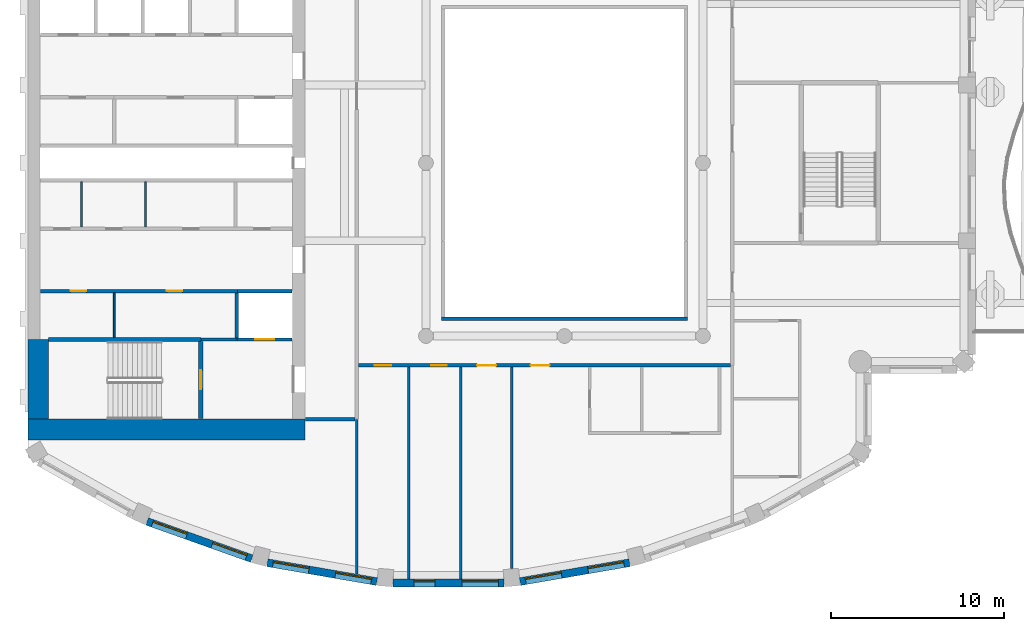
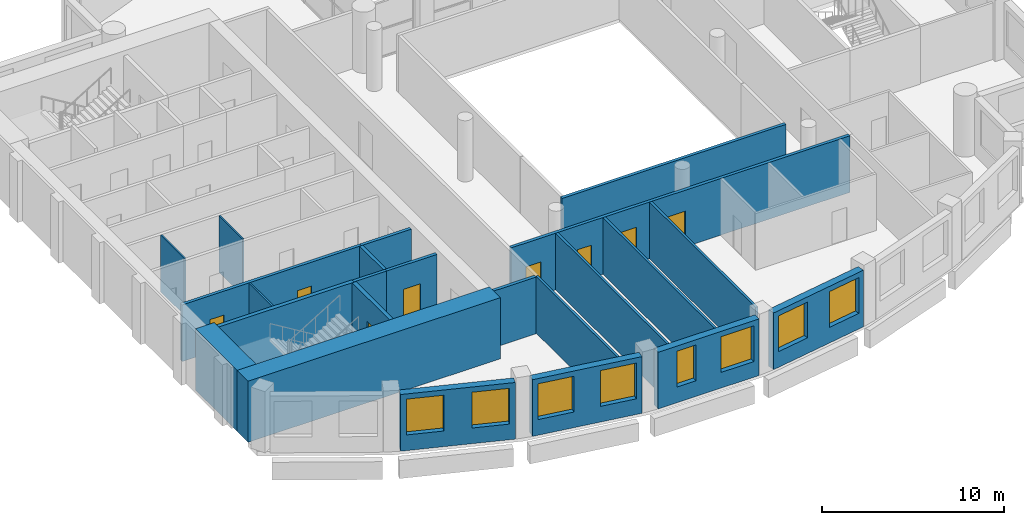
# One storey, part 4 of 14: 23 walls, 8 doors, 8 windows, 16 openings.
"""IFC4 building model written with IfcOpenShell, lengths in metres."""

from ifc_helpers import new_model, si_unit, direction, frame, frame_2d, origin, place, context, subcontext, project, spatial, rectangle, extrude, material, layer, layer_set, type_object, element, fill, save


model = new_model("IFC4")

# Units and contexts
model_context = context("Model", 3, precision=1e-05, world=origin(), true_north=direction((0.0, 1.0)))
body_context = subcontext(model_context, "Body", "Model", "MODEL_VIEW")
ifc_project = project(units=[si_unit("LENGTHUNIT", "METRE"), si_unit("AREAUNIT", "SQUARE_METRE"), si_unit("VOLUMEUNIT", "CUBIC_METRE"), si_unit("PLANEANGLEUNIT", "RADIAN"), si_unit("MASSUNIT", "GRAM", prefix="KILO")], contexts=[model_context])

# Site, building, storey
site_placement = place(None, origin())
site = spatial("IfcSite", under=ifc_project, at=site_placement, CompositionType="ELEMENT")
building_placement = place(site_placement, origin())
building = spatial("IfcBuilding", under=site, at=building_placement, Name="Cypress Arch Tower", CompositionType="ELEMENT")
storey_placement = place(building_placement, frame((0.0, 0.0, 272.10009765625)))
storey = spatial("IfcBuildingStorey", under=building, at=storey_placement, Name="L61", CompositionType="ELEMENT", Elevation=272.10009765625)

# Wall, openings, windows
ifc_material_1 = material(Name="Brick (red buff blend)", Category="masonry")
ifc_layer_1 = layer(ifc_material_1, 0.449951171875)
ifc_layer_set_1 = layer_set([ifc_layer_1], Name="Brick pier and spandrel wall BW450")
wall_type_1 = type_object("IfcWallType", Name="Brick pier and spandrel wall BW450", PredefinedType="SOLIDWALL", material=ifc_layer_set_1)
wall_1_placement = place(storey_placement, frame((-23.10498046875, -20.70947265625, 0.0), z_axis=(0.0, 0.0, 1.0), x_axis=(0.942104058931, -0.335320655711, 0.0)))
wall_1 = element("IfcWall", 1, at=wall_1_placement, inside=storey, type_object=wall_type_1, Name="Brick wall L61 C09.0", PredefinedType="SOLIDWALL", context=body_context, shape_type="SweptSolid", body=[
    extrude(rectangle(XDim=6.411376953125, YDim=0.449951171875, at=frame_2d((3.20556640625, 0.0))), origin(), (0.0, 0.0, 1.0), 3.7998046875),
])
opening_1_placement = place(wall_1_placement, frame((0.3271484375, 0.0, 1.050048828125)))
opening_1 = element("IfcOpeningElement", 2, at=opening_1_placement, cuts=wall_1, Name="Opening W210O", PredefinedType="OPENING", context=body_context, shape_type="SweptSolid", body=[
    extrude(rectangle(XDim=2.10009765625, YDim=2.39990234375, at=frame_2d((1.050048828125, 1.199951171875))), frame((0.0, 0.23486328125, 0.0), z_axis=(0.0, -1.0, 0.0), x_axis=(1.0, 0.0, 0.0)), (0.0, 0.0, 1.0), 0.469970703125),
])
opening_2_placement = place(wall_1_placement, frame((3.984619140625, 0.0, 1.050048828125)))
opening_2 = element("IfcOpeningElement", 3, at=opening_2_placement, cuts=wall_1, Name="Opening W210O", PredefinedType="OPENING", context=body_context, shape_type="SweptSolid", body=[
    extrude(rectangle(XDim=2.10009765625, YDim=2.39990234375, at=frame_2d((1.050048828125, 1.199951171875))), frame((0.0, 0.23486328125, 0.0), z_axis=(0.0, -1.0, 0.0), x_axis=(1.0, 0.0, 0.0)), (0.0, 0.0, 1.0), 0.469970703125),
])
ifc_material_2 = material(Name="Anodised aluminium, bronze finish, clear low-emissivity double glazing", Category="aluminium")
window_type_1 = type_object("IfcWindowType", Name="Window Office 2100x2400", PartitioningType="SINGLE_PANEL", PredefinedType="WINDOW", material=ifc_material_2)
window_1_placement = place(opening_1_placement, origin())
window_1 = element("IfcWindow", 4, at=window_1_placement, inside=storey, type_object=window_type_1, Name="Window L61 C09.0.1", OverallHeight=2.39990234375, OverallWidth=2.10009765625, PartitioningType="SINGLE_PANEL", PredefinedType="WINDOW", context=body_context, shape_type="SweptSolid", body=[
    extrude(rectangle(XDim=2.10009765625, YDim=2.39990234375, at=frame_2d((1.050048828125, 1.199951171875))), frame((0.0, 0.135009765625, 0.0), z_axis=(0.0, -1.0, 0.0), x_axis=(1.0, 0.0, 0.0)), (0.0, 0.0, 1.0), 0.06005859375),
])
fill(opening_1, window_1)
window_2_placement = place(opening_2_placement, origin())
window_2 = element("IfcWindow", 5, at=window_2_placement, inside=storey, type_object=window_type_1, Name="Window L61 C09.0.2", OverallHeight=2.39990234375, OverallWidth=2.10009765625, PartitioningType="SINGLE_PANEL", PredefinedType="WINDOW", context=body_context, shape_type="SweptSolid", body=[
    extrude(rectangle(XDim=2.10009765625, YDim=2.39990234375, at=frame_2d((1.050048828125, 1.199951171875))), frame((0.0, 0.135009765625, 0.0), z_axis=(0.0, -1.0, 0.0), x_axis=(1.0, 0.0, 0.0)), (0.0, 0.0, 1.0), 0.06005859375),
])
fill(opening_2, window_2)

wall_2_placement = place(storey_placement, frame((-16.15673828125, -23.09716796875, 0.0), z_axis=(0.0, 0.0, 1.0), x_axis=(0.985502073964, -0.169663379113, 0.0)))
wall_2 = element("IfcWall", 6, at=wall_2_placement, inside=storey, type_object=wall_type_1, Name="Brick wall L61 C10.0", PredefinedType="SOLIDWALL", context=body_context, shape_type="SweptSolid", body=[
    extrude(rectangle(XDim=6.412109375, YDim=0.449951171875, at=frame_2d((3.2060546875, 0.0))), origin(), (0.0, 0.0, 1.0), 3.7998046875),
])
opening_3_placement = place(wall_2_placement, frame((0.3271484375, 0.0, 1.050048828125)))
opening_3 = element("IfcOpeningElement", 7, at=opening_3_placement, cuts=wall_2, Name="Opening W210O", PredefinedType="OPENING", context=body_context, shape_type="SweptSolid", body=[
    extrude(rectangle(XDim=2.10009765625, YDim=2.39990234375, at=frame_2d((1.050048828125, 1.199951171875))), frame((0.0, 0.23486328125, 0.0), z_axis=(0.0, -1.0, 0.0), x_axis=(1.0, 0.0, 0.0)), (0.0, 0.0, 1.0), 0.469970703125),
])
opening_4_placement = place(wall_2_placement, frame((3.98486328125, 0.0, 1.050048828125)))
opening_4 = element("IfcOpeningElement", 8, at=opening_4_placement, cuts=wall_2, Name="Opening W210O", PredefinedType="OPENING", context=body_context, shape_type="SweptSolid", body=[
    extrude(rectangle(XDim=2.10009765625, YDim=2.39990234375, at=frame_2d((1.050048828125, 1.199951171875))), frame((0.0, 0.23486328125, 0.0), z_axis=(0.0, -1.0, 0.0), x_axis=(1.0, 0.0, 0.0)), (0.0, 0.0, 1.0), 0.469970703125),
])
window_3_placement = place(opening_3_placement, origin())
window_3 = element("IfcWindow", 9, at=window_3_placement, inside=storey, type_object=window_type_1, Name="Window L61 C10.0.1", OverallHeight=2.39990234375, OverallWidth=2.10009765625, PartitioningType="SINGLE_PANEL", PredefinedType="WINDOW", context=body_context, shape_type="SweptSolid", body=[
    extrude(rectangle(XDim=2.10009765625, YDim=2.39990234375, at=frame_2d((1.050048828125, 1.199951171875))), frame((0.0, 0.135009765625, 0.0), z_axis=(0.0, -1.0, 0.0), x_axis=(1.0, 0.0, 0.0)), (0.0, 0.0, 1.0), 0.06005859375),
])
fill(opening_3, window_3)
window_4_placement = place(opening_4_placement, origin())
window_4 = element("IfcWindow", 10, at=window_4_placement, inside=storey, type_object=window_type_1, Name="Window L61 C10.0.2", OverallHeight=2.39990234375, OverallWidth=2.10009765625, PartitioningType="SINGLE_PANEL", PredefinedType="WINDOW", context=body_context, shape_type="SweptSolid", body=[
    extrude(rectangle(XDim=2.10009765625, YDim=2.39990234375, at=frame_2d((1.050048828125, 1.199951171875))), frame((0.0, 0.135009765625, 0.0), z_axis=(0.0, -1.0, 0.0), x_axis=(1.0, 0.0, 0.0)), (0.0, 0.0, 1.0), 0.06005859375),
])
fill(opening_4, window_4)

wall_3_placement = place(storey_placement, frame((-8.90283203125, -24.264892578125, 0.0), z_axis=(0.0, 0.0, 1.0), x_axis=(1.0, 0.0, 0.0)))
wall_3 = element("IfcWall", 11, at=wall_3_placement, inside=storey, type_object=wall_type_1, Name="Brick wall L61 C11.0", PredefinedType="SOLIDWALL", context=body_context, shape_type="SweptSolid", body=[
    extrude(rectangle(XDim=6.405517578125, YDim=0.449951171875, at=frame_2d((3.20263671875, 0.0))), origin(), (0.0, 0.0, 1.0), 3.7998046875),
])
opening_5_placement = place(wall_3_placement, frame((3.97998046875, 0.0, 1.050048828125)))
opening_5 = element("IfcOpeningElement", 12, at=opening_5_placement, cuts=wall_3, Name="Opening W210O", PredefinedType="OPENING", context=body_context, shape_type="SweptSolid", body=[
    extrude(rectangle(XDim=2.10009765625, YDim=2.39990234375, at=frame_2d((1.050048828125, 1.199951171875))), frame((0.0, 0.23486328125, 0.0), z_axis=(0.0, -1.0, 0.0), x_axis=(1.0, 0.0, 0.0)), (0.0, 0.0, 1.0), 0.469970703125),
])
opening_6_placement = place(wall_3_placement, frame((1.214111328125, 0.0, 1.050048828125)))
opening_6 = element("IfcOpeningElement", 13, at=opening_6_placement, cuts=wall_3, Name="Opening W120O", PredefinedType="OPENING", context=body_context, shape_type="SweptSolid", body=[
    extrude(rectangle(XDim=1.199951171875, YDim=2.39990234375, at=frame_2d((0.60009765625, 1.199951171875))), frame((0.0, 0.23486328125, 0.0), z_axis=(0.0, -1.0, 0.0), x_axis=(1.0, 0.0, 0.0)), (0.0, 0.0, 1.0), 0.469970703125),
])
ifc_material_3 = material(Name="Anodised aluminium, bronze finish, clear low-emissivity double glazing", Category="aluminium")
window_type_2 = type_object("IfcWindowType", Name="Window Office 1200x2400", PartitioningType="SINGLE_PANEL", PredefinedType="WINDOW", material=ifc_material_3)
window_5_placement = place(opening_6_placement, origin())
window_5 = element("IfcWindow", 14, at=window_5_placement, inside=storey, type_object=window_type_2, Name="Window L61 C11.0.1", OverallHeight=2.39990234375, OverallWidth=1.199951171875, PartitioningType="SINGLE_PANEL", PredefinedType="WINDOW", context=body_context, shape_type="SweptSolid", body=[
    extrude(rectangle(XDim=1.199951171875, YDim=2.39990234375, at=frame_2d((0.60009765625, 1.199951171875))), frame((0.0, 0.135009765625, 0.0), z_axis=(0.0, -1.0, 0.0), x_axis=(1.0, 0.0, 0.0)), (0.0, 0.0, 1.0), 0.06005859375),
])
fill(opening_6, window_5)
window_6_placement = place(opening_5_placement, origin())
window_6 = element("IfcWindow", 15, at=window_6_placement, inside=storey, type_object=window_type_1, Name="Window L61 C11.0.2", OverallHeight=2.39990234375, OverallWidth=2.10009765625, PartitioningType="SINGLE_PANEL", PredefinedType="WINDOW", context=body_context, shape_type="SweptSolid", body=[
    extrude(rectangle(XDim=2.10009765625, YDim=2.39990234375, at=frame_2d((1.050048828125, 1.199951171875))), frame((0.0, 0.135009765625, 0.0), z_axis=(0.0, -1.0, 0.0), x_axis=(1.0, 0.0, 0.0)), (0.0, 0.0, 1.0), 0.06005859375),
])
fill(opening_5, window_6)

wall_4_placement = place(storey_placement, frame((-1.562255859375, -24.18505859375, 0.0), z_axis=(0.0, 0.0, 1.0), x_axis=(0.985502073964, 0.169663379113, 0.0)))
wall_4 = element("IfcWall", 16, at=wall_4_placement, inside=storey, type_object=wall_type_1, Name="Brick wall L61 C12.0", PredefinedType="SOLIDWALL", context=body_context, shape_type="SweptSolid", body=[
    extrude(rectangle(XDim=6.412109375, YDim=0.449951171875, at=frame_2d((3.2060546875, 0.0))), origin(), (0.0, 0.0, 1.0), 3.7998046875),
])
opening_7_placement = place(wall_4_placement, frame((0.3271484375, 0.0, 1.050048828125)))
opening_7 = element("IfcOpeningElement", 17, at=opening_7_placement, cuts=wall_4, Name="Opening W210O", PredefinedType="OPENING", context=body_context, shape_type="SweptSolid", body=[
    extrude(rectangle(XDim=2.10009765625, YDim=2.39990234375, at=frame_2d((1.050048828125, 1.199951171875))), frame((0.0, 0.23486328125, 0.0), z_axis=(0.0, -1.0, 0.0), x_axis=(1.0, 0.0, 0.0)), (0.0, 0.0, 1.0), 0.469970703125),
])
opening_8_placement = place(wall_4_placement, frame((3.98486328125, 0.0, 1.050048828125)))
opening_8 = element("IfcOpeningElement", 18, at=opening_8_placement, cuts=wall_4, Name="Opening W210O", PredefinedType="OPENING", context=body_context, shape_type="SweptSolid", body=[
    extrude(rectangle(XDim=2.10009765625, YDim=2.39990234375, at=frame_2d((1.050048828125, 1.199951171875))), frame((0.0, 0.23486328125, 0.0), z_axis=(0.0, -1.0, 0.0), x_axis=(1.0, 0.0, 0.0)), (0.0, 0.0, 1.0), 0.469970703125),
])
window_7_placement = place(opening_7_placement, origin())
window_7 = element("IfcWindow", 19, at=window_7_placement, inside=storey, type_object=window_type_1, Name="Window L61 C12.0.1", OverallHeight=2.39990234375, OverallWidth=2.10009765625, PartitioningType="SINGLE_PANEL", PredefinedType="WINDOW", context=body_context, shape_type="SweptSolid", body=[
    extrude(rectangle(XDim=2.10009765625, YDim=2.39990234375, at=frame_2d((1.050048828125, 1.199951171875))), frame((0.0, 0.135009765625, 0.0), z_axis=(0.0, -1.0, 0.0), x_axis=(1.0, 0.0, 0.0)), (0.0, 0.0, 1.0), 0.06005859375),
])
fill(opening_7, window_7)
window_8_placement = place(opening_8_placement, origin())
window_8 = element("IfcWindow", 20, at=window_8_placement, inside=storey, type_object=window_type_1, Name="Window L61 C12.0.2", OverallHeight=2.39990234375, OverallWidth=2.10009765625, PartitioningType="SINGLE_PANEL", PredefinedType="WINDOW", context=body_context, shape_type="SweptSolid", body=[
    extrude(rectangle(XDim=2.10009765625, YDim=2.39990234375, at=frame_2d((1.050048828125, 1.199951171875))), frame((0.0, 0.135009765625, 0.0), z_axis=(0.0, -1.0, 0.0), x_axis=(1.0, 0.0, 0.0)), (0.0, 0.0, 1.0), 0.06005859375),
])
fill(opening_8, window_8)

# Walls
ifc_material_4 = material(Name="Concrete C60/75", Category="concrete")
ifc_layer_2 = layer(ifc_material_4, 1.199951171875)
ifc_layer_set_2 = layer_set([ifc_layer_2], Name="Core wall CW1200 C60/75")
wall_type_2 = type_object("IfcWallType", Name="Core wall CW1200 C60/75", PredefinedType="SHEAR", material=ifc_layer_set_2)
wall_5_placement = place(storey_placement, frame((-30.0, -15.39990234375, 0.0), z_axis=(0.0, 0.0, 1.0), x_axis=(1.0, 0.0, 0.0)))
element("IfcWall", 21, at=wall_5_placement, inside=storey, type_object=wall_type_2, Name="Core wall", PredefinedType="SHEAR", context=body_context, shape_type="SweptSolid", body=[
    extrude(rectangle(XDim=16.0, YDim=1.199951171875, at=frame_2d((8.0, 0.0))), origin(), (0.0, 0.0, 1.0), 4.099853515625),
])
wall_6_placement = place(storey_placement, frame((-29.39990234375, -14.800048828125, 0.0), z_axis=(0.0, 0.0, 1.0), x_axis=(0.0, 1.0, 0.0)))
element("IfcWall", 22, at=wall_6_placement, inside=storey, type_object=wall_type_2, Name="Core wall", PredefinedType="SHEAR", context=body_context, shape_type="SweptSolid", body=[
    extrude(rectangle(XDim=4.60009765625, YDim=1.199951171875, at=frame_2d((2.300048828125, 0.0))), origin(), (0.0, 0.0, 1.0), 4.099853515625),
])

# Wall, openings, doors
ifc_material_5 = material(Name="Concrete blockwork, plastered, rated", Category="masonry")
ifc_layer_3 = layer(ifc_material_5, 0.199951171875)
ifc_layer_set_3 = layer_set([ifc_layer_3], Name="Corridor wall FW200")
wall_type_3 = type_object("IfcWallType", Name="Corridor wall FW200", PredefinedType="PARTITIONING", material=ifc_layer_set_3)
wall_7_placement = place(storey_placement, frame((-29.27001953125, -7.39990234375, 0.0), z_axis=(0.0, 0.0, 1.0), x_axis=(1.0, 0.0, 0.0)))
wall_7 = element("IfcWall", 23, at=wall_7_placement, inside=storey, type_object=wall_type_3, Name="Corridor wall", PredefinedType="PARTITIONING", context=body_context, shape_type="SweptSolid", body=[
    extrude(rectangle(XDim=11.3701171875, YDim=0.199951171875, at=frame_2d((5.68505859375, 0.0))), origin(), (0.0, 0.0, 1.0), 3.7998046875),
])
opening_9_placement = place(wall_7_placement, frame((1.75, 0.0, 0.0)))
opening_9 = element("IfcOpeningElement", 24, at=opening_9_placement, cuts=wall_7, Name="Opening D05", PredefinedType="OPENING", context=body_context, shape_type="SweptSolid", body=[
    extrude(rectangle(XDim=0.89990234375, YDim=2.199951171875, at=frame_2d((0.449951171875, 1.10009765625))), frame((0.0, 0.10986328125, 0.0), z_axis=(0.0, -1.0, 0.0), x_axis=(1.0, 0.0, 0.0)), (0.0, 0.0, 1.0), 0.219970703125),
])
opening_10_placement = place(wall_7_placement, frame((7.300048828125, 0.0, 0.0)))
opening_10 = element("IfcOpeningElement", 25, at=opening_10_placement, cuts=wall_7, Name="Opening D05", PredefinedType="OPENING", context=body_context, shape_type="SweptSolid", body=[
    extrude(rectangle(XDim=0.89990234375, YDim=2.199951171875, at=frame_2d((0.449951171875, 1.10009765625))), frame((0.0, 0.10986328125, 0.0), z_axis=(0.0, -1.0, 0.0), x_axis=(1.0, 0.0, 0.0)), (0.0, 0.0, 1.0), 0.219970703125),
])
ifc_material_6 = material(Name="Timber flush door", Category="wood")
door_type_1 = type_object("IfcDoorType", Name="Service door D05 900x2200", OperationType="SINGLE_SWING_LEFT", PredefinedType="DOOR", material=ifc_material_6)
door_1_placement = place(opening_9_placement, origin())
door_1 = element("IfcDoor", 26, at=door_1_placement, inside=storey, type_object=door_type_1, Name="Service door", OperationType="SINGLE_SWING_LEFT", OverallHeight=2.199951171875, OverallWidth=0.89990234375, PredefinedType="DOOR", context=body_context, shape_type="SweptSolid", body=[
    extrude(rectangle(XDim=0.89990234375, YDim=2.199951171875, at=frame_2d((0.449951171875, 1.10009765625))), frame((0.0, 0.02490234375, 0.0), z_axis=(0.0, -1.0, 0.0), x_axis=(1.0, 0.0, 0.0)), (0.0, 0.0, 1.0), 0.050048828125),
])
fill(opening_9, door_1)
door_2_placement = place(opening_10_placement, origin())
door_2 = element("IfcDoor", 27, at=door_2_placement, inside=storey, type_object=door_type_1, Name="Service door", OperationType="SINGLE_SWING_RIGHT", OverallHeight=2.199951171875, OverallWidth=0.89990234375, PredefinedType="DOOR", context=body_context, shape_type="SweptSolid", body=[
    extrude(rectangle(XDim=0.89990234375, YDim=2.199951171875, at=frame_2d((0.449951171875, 1.10009765625))), frame((0.0, 0.02490234375, 0.0), z_axis=(0.0, -1.0, 0.0), x_axis=(1.0, 0.0, 0.0)), (0.0, 0.0, 1.0), 0.050048828125),
])
fill(opening_10, door_2)

# Walls
wall_8_placement = place(storey_placement, frame((-20.0, -10.199951171875, 0.0), z_axis=(0.0, 0.0, 1.0), x_axis=(1.0, 0.0, 0.0)))
element("IfcWall", 28, at=wall_8_placement, inside=storey, type_object=wall_type_3, Name="Corridor wall", PredefinedType="PARTITIONING", context=body_context, shape_type="SweptSolid", body=[
    extrude(rectangle(XDim=2.080078125, YDim=0.199951171875, at=frame_2d((1.0400390625, 0.0))), origin(), (0.0, 0.0, 1.0), 3.7998046875),
])
wall_9_placement = place(storey_placement, frame((-13.969970703125, -14.800048828125, 0.0), z_axis=(0.0, 0.0, 1.0), x_axis=(1.0, 0.0, 0.0)))
element("IfcWall", 29, at=wall_9_placement, inside=storey, type_object=wall_type_3, Name="Corridor wall", PredefinedType="PARTITIONING", context=body_context, shape_type="SweptSolid", body=[
    extrude(rectangle(XDim=2.869873046875, YDim=0.199951171875, at=frame_2d((1.43505859375, 0.0))), origin(), (0.0, 0.0, 1.0), 3.7998046875),
])

# Wall, openings, doors
wall_10_placement = place(storey_placement, frame((-10.89990234375, -11.699951171875, 0.0), z_axis=(0.0, 0.0, 1.0), x_axis=(1.0, 0.0, 0.0)))
wall_10 = element("IfcWall", 30, at=wall_10_placement, inside=storey, type_object=wall_type_3, Name="Corridor wall", PredefinedType="PARTITIONING", context=body_context, shape_type="SweptSolid", body=[
    extrude(rectangle(XDim=21.5, YDim=0.199951171875, at=frame_2d((10.75, 0.0))), origin(), (0.0, 0.0, 1.0), 3.7998046875),
])
opening_11_placement = place(wall_10_placement, frame((0.949951171875, 0.0, 0.0)))
opening_11 = element("IfcOpeningElement", 31, at=opening_11_placement, cuts=wall_10, Name="Opening D02", PredefinedType="OPENING", context=body_context, shape_type="SweptSolid", body=[
    extrude(rectangle(XDim=0.949951171875, YDim=2.199951171875, at=frame_2d((0.47509765625, 1.10009765625))), frame((0.0, 0.10986328125, 0.0), z_axis=(0.0, -1.0, 0.0), x_axis=(1.0, 0.0, 0.0)), (0.0, 0.0, 1.0), 0.219970703125),
])
opening_12_placement = place(wall_10_placement, frame((4.199951171875, 0.0, 0.0)))
opening_12 = element("IfcOpeningElement", 32, at=opening_12_placement, cuts=wall_10, Name="Opening D05", PredefinedType="OPENING", context=body_context, shape_type="SweptSolid", body=[
    extrude(rectangle(XDim=0.89990234375, YDim=2.199951171875, at=frame_2d((0.449951171875, 1.10009765625))), frame((0.0, 0.10986328125, 0.0), z_axis=(0.0, -1.0, 0.0), x_axis=(1.0, 0.0, 0.0)), (0.0, 0.0, 1.0), 0.219970703125),
])
opening_13_placement = place(wall_10_placement, frame((6.85009765625, 0.0, 0.0)))
opening_13 = element("IfcOpeningElement", 33, at=opening_13_placement, cuts=wall_10, Name="Opening D01", PredefinedType="OPENING", context=body_context, shape_type="SweptSolid", body=[
    extrude(rectangle(XDim=1.10009765625, YDim=2.39990234375, at=frame_2d((0.550048828125, 1.199951171875))), frame((0.0, 0.10986328125, 0.0), z_axis=(0.0, -1.0, 0.0), x_axis=(1.0, 0.0, 0.0)), (0.0, 0.0, 1.0), 0.219970703125),
])
opening_14_placement = place(wall_10_placement, frame((9.949951171875, 0.0, 0.0)))
opening_14 = element("IfcOpeningElement", 34, at=opening_14_placement, cuts=wall_10, Name="Opening D01", PredefinedType="OPENING", context=body_context, shape_type="SweptSolid", body=[
    extrude(rectangle(XDim=1.10009765625, YDim=2.39990234375, at=frame_2d((0.550048828125, 1.199951171875))), frame((0.0, 0.10986328125, 0.0), z_axis=(0.0, -1.0, 0.0), x_axis=(1.0, 0.0, 0.0)), (0.0, 0.0, 1.0), 0.219970703125),
])
ifc_material_7 = material(Name="Timber flush door, fire resisting", Category="wood")
door_type_2 = type_object("IfcDoorType", Name="Room door D02 950x2200", OperationType="SINGLE_SWING_LEFT", PredefinedType="DOOR", material=ifc_material_7)
door_3_placement = place(opening_11_placement, origin())
door_3 = element("IfcDoor", 35, at=door_3_placement, inside=storey, type_object=door_type_2, Name="Room door", OperationType="SINGLE_SWING_LEFT", OverallHeight=2.199951171875, OverallWidth=0.949951171875, PredefinedType="DOOR", context=body_context, shape_type="SweptSolid", body=[
    extrude(rectangle(XDim=0.949951171875, YDim=2.199951171875, at=frame_2d((0.47509765625, 1.10009765625))), frame((0.0, 0.02490234375, 0.0), z_axis=(0.0, -1.0, 0.0), x_axis=(1.0, 0.0, 0.0)), (0.0, 0.0, 1.0), 0.050048828125),
])
fill(opening_11, door_3)
door_4_placement = place(opening_12_placement, origin())
door_4 = element("IfcDoor", 36, at=door_4_placement, inside=storey, type_object=door_type_1, Name="Service door", OperationType="SINGLE_SWING_LEFT", OverallHeight=2.199951171875, OverallWidth=0.89990234375, PredefinedType="DOOR", context=body_context, shape_type="SweptSolid", body=[
    extrude(rectangle(XDim=0.89990234375, YDim=2.199951171875, at=frame_2d((0.449951171875, 1.10009765625))), frame((0.0, 0.02490234375, 0.0), z_axis=(0.0, -1.0, 0.0), x_axis=(1.0, 0.0, 0.0)), (0.0, 0.0, 1.0), 0.050048828125),
])
fill(opening_12, door_4)
ifc_material_8 = material(Name="Timber flush door, fire resisting, self-closing", Category="wood")
door_type_3 = type_object("IfcDoorType", Name="Unit entrance door D01 1100x2400", OperationType="SINGLE_SWING_LEFT", PredefinedType="DOOR", material=ifc_material_8)
door_5_placement = place(opening_13_placement, origin())
door_5 = element("IfcDoor", 37, at=door_5_placement, inside=storey, type_object=door_type_3, Name="Unit entrance door", OperationType="SINGLE_SWING_LEFT", OverallHeight=2.39990234375, OverallWidth=1.10009765625, PredefinedType="DOOR", context=body_context, shape_type="SweptSolid", body=[
    extrude(rectangle(XDim=1.10009765625, YDim=2.39990234375, at=frame_2d((0.550048828125, 1.199951171875))), frame((0.0, 0.02490234375, 0.0), z_axis=(0.0, -1.0, 0.0), x_axis=(1.0, 0.0, 0.0)), (0.0, 0.0, 1.0), 0.050048828125),
])
fill(opening_13, door_5)
door_6_placement = place(opening_14_placement, origin())
door_6 = element("IfcDoor", 38, at=door_6_placement, inside=storey, type_object=door_type_3, Name="Unit entrance door", OperationType="SINGLE_SWING_RIGHT", OverallHeight=2.39990234375, OverallWidth=1.10009765625, PredefinedType="DOOR", context=body_context, shape_type="SweptSolid", body=[
    extrude(rectangle(XDim=1.10009765625, YDim=2.39990234375, at=frame_2d((0.550048828125, 1.199951171875))), frame((0.0, 0.02490234375, 0.0), z_axis=(0.0, -1.0, 0.0), x_axis=(1.0, 0.0, 0.0)), (0.0, 0.0, 1.0), 0.050048828125),
])
fill(opening_14, door_6)

# Walls
wall_11_placement = place(storey_placement, frame((-6.10009765625, -9.0, 0.0), z_axis=(0.0, 0.0, 1.0), x_axis=(1.0, 0.0, 0.0)))
element("IfcWall", 39, at=wall_11_placement, inside=storey, type_object=wall_type_3, Name="Corridor wall", PredefinedType="PARTITIONING", context=body_context, shape_type="SweptSolid", body=[
    extrude(rectangle(XDim=14.2001953125, YDim=0.199951171875, at=frame_2d((7.10009765625, 0.0))), origin(), (0.0, 0.0, 1.0), 3.7998046875),
])
ifc_material_9 = material(Name="Blockwork, plastered both sides", Category="masonry")
ifc_layer_4 = layer(ifc_material_9, 0.14990234375)
ifc_layer_set_4 = layer_set([ifc_layer_4], Name="Partition PW150")
wall_type_4 = type_object("IfcWallType", Name="Partition PW150", PredefinedType="PARTITIONING", material=ifc_layer_set_4)
wall_12_placement = place(storey_placement, frame((-11.0, -23.756591796875, 0.0), z_axis=(0.0, 0.0, 1.0), x_axis=(0.0, 1.0, 0.0)))
element("IfcWall", 40, at=wall_12_placement, inside=storey, type_object=wall_type_4, Name="Partition", PredefinedType="PARTITIONING", context=body_context, shape_type="SweptSolid", body=[
    extrude(rectangle(XDim=8.9365234375, YDim=0.14990234375, at=frame_2d((4.46826171875, 0.0))), origin(), (0.0, 0.0, 1.0), 3.7998046875),
])
for number, where, z_axis, x_axis, name in (
    (41, (-8.0, -24.0400390625, 0.0), (0.0, 0.0, 1.0), (0.0, 1.0, 0.0), "Partition"),
    (42, (-5.0, -24.0400390625, 0.0), (0.0, 0.0, 1.0), (0.0, 1.0, 0.0), "Partition"),
):
    element("IfcWall", number, at=place(storey_placement, frame(where, z_axis=z_axis, x_axis=x_axis)), inside=storey, type_object=wall_type_4, Name=name, PredefinedType="PARTITIONING", context=body_context, shape_type="SweptSolid", body=[
        extrude(rectangle(XDim=12.239990234375, YDim=0.14990234375, at=frame_2d((6.1201171875, 0.0))), origin(), (0.0, 0.0, 1.0), 3.7998046875),
    ])
wall_13_placement = place(storey_placement, frame((-2.0458984375, -23.441162109375, 0.0), z_axis=(0.0, 0.0, 1.0), x_axis=(0.0, 1.0, 0.0)))
element("IfcWall", 43, at=wall_13_placement, inside=storey, type_object=wall_type_4, Name="Partition", PredefinedType="PARTITIONING", context=body_context, shape_type="SweptSolid", body=[
    extrude(rectangle(XDim=11.64111328125, YDim=0.14990234375, at=frame_2d((5.820556640625, 0.0))), origin(), (0.0, 0.0, 1.0), 3.7998046875),
])
ifc_material_10 = material(Name="Concrete C50/60", Category="concrete")
ifc_layer_5 = layer(ifc_material_10, 0.199951171875)
ifc_layer_set_5 = layer_set([ifc_layer_5], Name="Shaft wall SH200")
wall_type_5 = type_object("IfcWallType", Name="Shaft wall SH200", PredefinedType="SHEAR", material=ifc_layer_set_5)
wall_14_placement = place(storey_placement, frame((-17.919921875, -10.10009765625, 0.0), z_axis=(0.0, 0.0, 1.0), x_axis=(0.0, 1.0, 0.0)))
element("IfcWall", 44, at=wall_14_placement, inside=storey, type_object=wall_type_5, Name="Shaft wall", PredefinedType="SHEAR", context=body_context, shape_type="SweptSolid", body=[
    extrude(rectangle(XDim=2.60009765625, YDim=0.199951171875, at=frame_2d((1.300048828125, 0.0))), origin(), (0.0, 0.0, 1.0), 3.7998046875),
])

# Wall, opening, door
wall_15_placement = place(storey_placement, frame((-17.919921875, -10.199951171875, 0.0), z_axis=(0.0, 0.0, 1.0), x_axis=(1.0, 0.0, 0.0)))
wall_15 = element("IfcWall", 45, at=wall_15_placement, inside=storey, type_object=wall_type_5, Name="Shaft wall", PredefinedType="SHEAR", context=body_context, shape_type="SweptSolid", body=[
    extrude(rectangle(XDim=3.18994140625, YDim=0.199951171875, at=frame_2d((1.594970703125, 0.0))), origin(), (0.0, 0.0, 1.0), 3.7998046875),
])
opening_15_placement = place(wall_15_placement, frame((1.050048828125, 0.0, 0.0)))
opening_15 = element("IfcOpeningElement", 46, at=opening_15_placement, cuts=wall_15, Name="Opening LD-FL1", PredefinedType="OPENING", context=body_context, shape_type="SweptSolid", body=[
    extrude(rectangle(XDim=1.10009765625, YDim=2.199951171875, at=frame_2d((0.550048828125, 1.10009765625))), frame((0.0, 0.10986328125, 0.0), z_axis=(0.0, -1.0, 0.0), x_axis=(1.0, 0.0, 0.0)), (0.0, 0.0, 1.0), 0.219970703125),
])
ifc_material_11 = material(Name="Stainless steel centre-opening landing door, rated", Category="steel")
door_type_4 = type_object("IfcDoorType", Name="Lift landing door LD 1100x2200", OperationType="DOUBLE_DOOR_SLIDING", PredefinedType="DOOR", material=ifc_material_11)
door_7_placement = place(opening_15_placement, origin())
door_7 = element("IfcDoor", 47, at=door_7_placement, inside=storey, type_object=door_type_4, Name="Lift landing doors FL1", OperationType="DOUBLE_DOOR_SLIDING", OverallHeight=2.199951171875, OverallWidth=1.10009765625, PredefinedType="DOOR", context=body_context, shape_type="SweptSolid", body=[
    extrude(rectangle(XDim=1.10009765625, YDim=2.199951171875, at=frame_2d((0.550048828125, 1.10009765625))), frame((0.0, 0.02490234375, 0.0), z_axis=(0.0, -1.0, 0.0), x_axis=(1.0, 0.0, 0.0)), (0.0, 0.0, 1.0), 0.050048828125),
])
fill(opening_15, door_7)

# Walls
wall_16_placement = place(storey_placement, frame((-17.89990234375, -7.39990234375, 0.0), z_axis=(0.0, 0.0, 1.0), x_axis=(1.0, 0.0, 0.0)))
element("IfcWall", 48, at=wall_16_placement, inside=storey, type_object=wall_type_5, Name="Shaft wall", PredefinedType="SHEAR", context=body_context, shape_type="SweptSolid", body=[
    extrude(rectangle(XDim=3.169921875, YDim=0.199951171875, at=frame_2d((1.5849609375, 0.0))), origin(), (0.0, 0.0, 1.0), 3.7998046875),
])
ifc_material_12 = material(Name="Concrete C50/60", Category="concrete")
ifc_layer_6 = layer(ifc_material_12, 0.25)
ifc_layer_set_6 = layer_set([ifc_layer_6], Name="Stair enclosure wall SW250")
wall_type_6 = type_object("IfcWallType", Name="Stair enclosure wall SW250", PredefinedType="SHEAR", material=ifc_layer_set_6)
wall_17_placement = place(storey_placement, frame((-28.81005859375, -10.199951171875, 0.0), z_axis=(0.0, 0.0, 1.0), x_axis=(1.0, 0.0, 0.0)))
element("IfcWall", 49, at=wall_17_placement, inside=storey, type_object=wall_type_6, Name="Stair enclosure wall", PredefinedType="SHEAR", context=body_context, shape_type="SweptSolid", body=[
    extrude(rectangle(XDim=8.81005859375, YDim=0.25, at=frame_2d((4.405029296875, 0.0))), origin(), (0.0, 0.0, 1.0), 3.7998046875),
])

# Wall, opening, door
wall_18_placement = place(storey_placement, frame((-20.0, -14.77001953125, 0.0), z_axis=(0.0, 0.0, 1.0), x_axis=(0.0, 1.0, 0.0)))
wall_18 = element("IfcWall", 50, at=wall_18_placement, inside=storey, type_object=wall_type_6, Name="Stair enclosure wall", PredefinedType="SHEAR", context=body_context, shape_type="SweptSolid", body=[
    extrude(rectangle(XDim=4.445068359375, YDim=0.25, at=frame_2d((2.22265625, 0.0))), origin(), (0.0, 0.0, 1.0), 3.7998046875),
])
opening_16_placement = place(wall_18_placement, frame((1.699951171875, 0.0, 0.0)))
opening_16 = element("IfcOpeningElement", 51, at=opening_16_placement, cuts=wall_18, Name="Opening D06", PredefinedType="OPENING", context=body_context, shape_type="SweptSolid", body=[
    extrude(rectangle(XDim=1.10009765625, YDim=2.199951171875, at=frame_2d((0.550048828125, 1.10009765625))), frame((0.0, 0.135009765625, 0.0), z_axis=(0.0, -1.0, 0.0), x_axis=(1.0, 0.0, 0.0)), (0.0, 0.0, 1.0), 0.27001953125),
])
ifc_material_13 = material(Name="Steel door, fire resisting, panic bar", Category="steel")
door_type_5 = type_object("IfcDoorType", Name="Stair door D06 1100x2200", OperationType="SINGLE_SWING_LEFT", PredefinedType="DOOR", material=ifc_material_13)
door_8_placement = place(opening_16_placement, origin())
door_8 = element("IfcDoor", 52, at=door_8_placement, inside=storey, type_object=door_type_5, Name="Stair door", OperationType="SINGLE_SWING_RIGHT", OverallHeight=2.199951171875, OverallWidth=1.10009765625, PredefinedType="DOOR", context=body_context, shape_type="SweptSolid", body=[
    extrude(rectangle(XDim=1.10009765625, YDim=2.199951171875, at=frame_2d((0.550048828125, 1.10009765625))), frame((0.0, 0.02490234375, 0.0), z_axis=(0.0, -1.0, 0.0), x_axis=(1.0, 0.0, 0.0)), (0.0, 0.0, 1.0), 0.050048828125),
])
fill(opening_16, door_8)

# Walls
ifc_material_14 = material(Name="Moisture resistant board on steel studs, tiled", Category="steel")
ifc_layer_7 = layer(ifc_material_14, 0.10009765625)
ifc_layer_set_7 = layer_set([ifc_layer_7], Name="Wet wall PW100")
wall_type_7 = type_object("IfcWallType", Name="Wet wall PW100", PredefinedType="PARTITIONING", material=ifc_layer_set_7)
wall_19_placement = place(storey_placement, frame((-26.89990234375, -3.699951171875, 0.0), z_axis=(0.0, 0.0, 1.0), x_axis=(0.0, 1.0, 0.0)))
element("IfcWall", 53, at=wall_19_placement, inside=storey, type_object=wall_type_7, Name="Wet wall", PredefinedType="PARTITIONING", context=body_context, shape_type="SweptSolid", body=[
    extrude(rectangle(XDim=2.599853515625, YDim=0.10009765625, at=frame_2d((1.2998046875, 0.0))), origin(), (0.0, 0.0, 1.0), 3.7998046875),
])
wall_20_placement = place(storey_placement, frame((-25.0, -10.074951171875, 0.0), z_axis=(0.0, 0.0, 1.0), x_axis=(0.0, 1.0, 0.0)))
element("IfcWall", 54, at=wall_20_placement, inside=storey, type_object=wall_type_7, Name="Wet wall", PredefinedType="PARTITIONING", context=body_context, shape_type="SweptSolid", body=[
    extrude(rectangle(XDim=2.574951171875, YDim=0.10009765625, at=frame_2d((1.28759765625, 0.0))), origin(), (0.0, 0.0, 1.0), 3.7998046875),
])
wall_21_placement = place(storey_placement, frame((-23.199951171875, -3.699951171875, 0.0), z_axis=(0.0, 0.0, 1.0), x_axis=(0.0, 1.0, 0.0)))
element("IfcWall", 55, at=wall_21_placement, inside=storey, type_object=wall_type_7, Name="Wet wall", PredefinedType="PARTITIONING", context=body_context, shape_type="SweptSolid", body=[
    extrude(rectangle(XDim=2.599853515625, YDim=0.10009765625, at=frame_2d((1.2998046875, 0.0))), origin(), (0.0, 0.0, 1.0), 3.7998046875),
])

save(model, "model.ifc")
